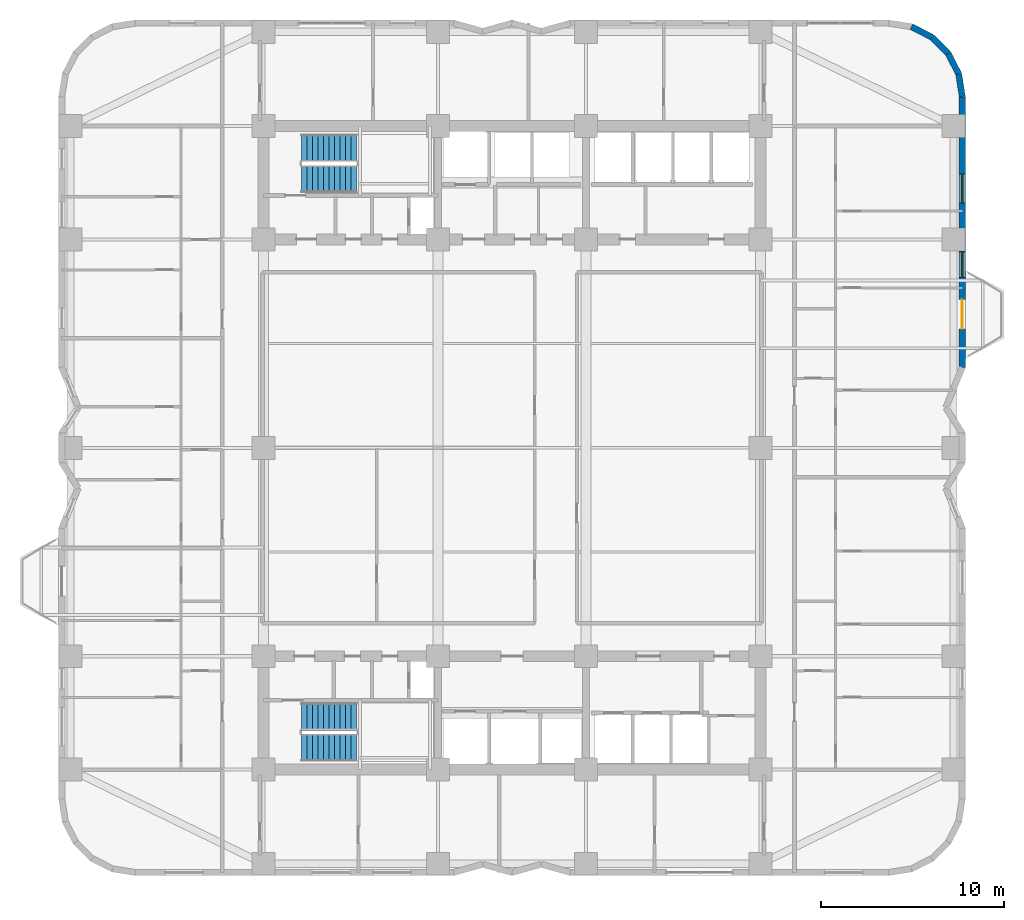
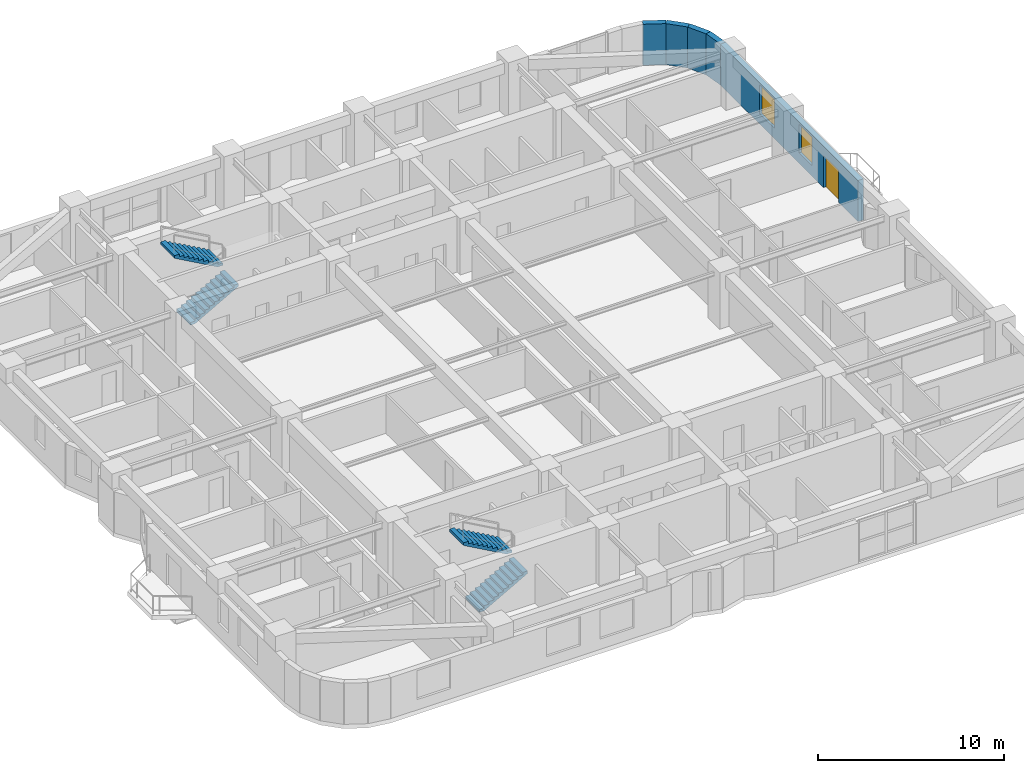
# One storey, part 11 of 13: 5 walls, 4 stair flights, 2 windows, 1 door, 3 openings, 2 elements without a shape of their own.
"""IFC4 building model written with IfcOpenShell, lengths in metres."""

from ifc_helpers import new_model, si_unit, direction, frame, frame_2d, origin, place, context, subcontext, project, spatial, polyline, rectangle, outline, extrude, material, layer, layer_set, type_object, element, fill, aggregate, save


model = new_model("IFC4")

# Units and contexts
model_context = context("Model", 3, precision=1e-05, world=origin(), true_north=direction((0.0, 1.0)))
body_context = subcontext(model_context, "Body", "Model", "MODEL_VIEW")
ifc_project = project(units=[si_unit("LENGTHUNIT", "METRE"), si_unit("AREAUNIT", "SQUARE_METRE"), si_unit("VOLUMEUNIT", "CUBIC_METRE"), si_unit("PLANEANGLEUNIT", "RADIAN"), si_unit("MASSUNIT", "GRAM", prefix="KILO")], contexts=[model_context])

# Site, building, storey
site_placement = place(None, origin())
site = spatial("IfcSite", under=ifc_project, at=site_placement, CompositionType="ELEMENT")
building_placement = place(site_placement, origin())
building = spatial("IfcBuilding", under=site, at=building_placement, Name="Svetorya Sky Lyceum", CompositionType="ELEMENT")
storey_placement = place(building_placement, frame((0.0, 0.0, 39.89990234375)))
storey = spatial("IfcBuildingStorey", under=building, at=storey_placement, Name="L09", CompositionType="ELEMENT", Elevation=39.89990234375)

# Wall, openings, door, windows
ifc_material_1 = material(Name="Putilovo limestone rainscreen on autoclaved cellular masonry", Category="masonry")
ifc_layer = layer(ifc_material_1, 0.340087890625)
ifc_layer_set = layer_set([ifc_layer], Name="Putilovo limestone rainscreen on autoclaved cellular masonry")
wall_type = type_object("IfcWallType", Name="WL-EXT-340", PredefinedType="SOLIDWALL", material=ifc_layer_set)
wall_1_placement = place(storey_placement, frame((63.830078125, 32.60009765625, 0.0), z_axis=(0.0, 0.0, 1.0), x_axis=(0.0, 1.0, 0.0)))
wall_1 = element("IfcWall", 1, at=wall_1_placement, inside=storey, type_object=wall_type, Name="L09 Limestone Exterior Wall 23M", PredefinedType="SOLIDWALL", context=body_context, shape_type="SweptSolid", body=[
    extrude(rectangle(XDim=14.7998046875, YDim=0.340087890625, at=frame_2d((7.39990234375, 0.0))), origin(), (0.0, 0.0, 1.0), 2.7001953125),
])
opening_1_placement = place(wall_1_placement, frame((2.10009765625, 0.0, 0.0)))
opening_1 = element("IfcOpeningElement", 2, at=opening_1_placement, cuts=wall_1, Name="Opening D-BL1", PredefinedType="OPENING", context=body_context, shape_type="SweptSolid", body=[
    extrude(rectangle(XDim=1.60009765625, YDim=2.10009765625, at=frame_2d((0.800048828125, 1.050048828125))), frame((0.0, 0.179931640625, 0.0), z_axis=(0.0, -1.0, 0.0), x_axis=(1.0, 0.0, 0.0)), (0.0, 0.0, 1.0), 0.360107421875),
])
opening_2_placement = place(wall_1_placement, frame((4.919921875, 0.0, 0.68994140625)))
opening_2 = element("IfcOpeningElement", 3, at=opening_2_placement, cuts=wall_1, Name="Opening W-R2", PredefinedType="OPENING", context=body_context, shape_type="SweptSolid", body=[
    extrude(rectangle(XDim=1.39990234375, YDim=1.85009765625, at=frame_2d((0.699951171875, 0.925048828125))), frame((0.0, 0.179931640625, 0.0), z_axis=(0.0, -1.0, 0.0), x_axis=(1.0, 0.0, 0.0)), (0.0, 0.0, 1.0), 0.360107421875),
])
opening_3_placement = place(wall_1_placement, frame((8.987548828125, 0.0, 0.679931640625)))
opening_3 = element("IfcOpeningElement", 4, at=opening_3_placement, cuts=wall_1, Name="Opening W-R4", PredefinedType="OPENING", context=body_context, shape_type="SweptSolid", body=[
    extrude(rectangle(XDim=1.60009765625, YDim=1.89990234375, at=frame_2d((0.800048828125, 0.949951171875))), frame((0.0, 0.179931640625, 0.0), z_axis=(0.0, -1.0, 0.0), x_axis=(1.0, 0.0, 0.0)), (0.0, 0.0, 1.0), 0.360107421875),
])
ifc_material_2 = material(Name="Insulated glazed aluminium balcony door", Category="aluminium")
door_type = type_object("IfcDoorType", Name="DR-BAL-1600", OperationType="DOUBLE_DOOR_SINGLE_SWING", PredefinedType="DOOR", material=ifc_material_2)
door_placement = place(opening_1_placement, origin())
door = element("IfcDoor", 5, at=door_placement, inside=storey, type_object=door_type, Name="L09 Balcony BAL-E1 Door", OperationType="DOUBLE_DOOR_SINGLE_SWING", OverallHeight=2.10009765625, OverallWidth=1.60009765625, PredefinedType="DOOR", context=body_context, shape_type="SweptSolid", body=[
    extrude(rectangle(XDim=1.60009765625, YDim=2.10009765625, at=frame_2d((0.800048828125, 1.050048828125))), frame((0.0, 0.02490234375, 0.0), z_axis=(0.0, -1.0, 0.0), x_axis=(1.0, 0.0, 0.0)), (0.0, 0.0, 1.0), 0.050048828125),
])
fill(opening_1, door)
ifc_material_3 = material(Name="Thermally broken aluminium frame with triple low-E glazing", Category="aluminium")
window_type_1 = type_object("IfcWindowType", Name="WN-RES-140", PartitioningType="SINGLE_PANEL", PredefinedType="WINDOW", material=ifc_material_3)
window_1_placement = place(opening_2_placement, origin())
window_1 = element("IfcWindow", 6, at=window_1_placement, inside=storey, type_object=window_type_1, Name="L09 Facade Window W-R2.23M.2", OverallHeight=1.85009765625, OverallWidth=1.39990234375, PartitioningType="SINGLE_PANEL", PredefinedType="WINDOW", context=body_context, shape_type="SweptSolid", body=[
    extrude(rectangle(XDim=1.39990234375, YDim=1.85009765625, at=frame_2d((0.699951171875, 0.925048828125))), frame((0.0, 0.030029296875, 0.0), z_axis=(0.0, -1.0, 0.0), x_axis=(1.0, 0.0, 0.0)), (0.0, 0.0, 1.0), 0.06005859375),
])
fill(opening_2, window_1)
window_type_2 = type_object("IfcWindowType", Name="WN-RES-160", PartitioningType="DOUBLE_PANEL_VERTICAL", PredefinedType="WINDOW", material=ifc_material_3)
window_2_placement = place(opening_3_placement, origin())
window_2 = element("IfcWindow", 7, at=window_2_placement, inside=storey, type_object=window_type_2, Name="L09 Facade Window W-R4.23M.1", OverallHeight=1.89990234375, OverallWidth=1.60009765625, PartitioningType="SINGLE_PANEL", PredefinedType="WINDOW", context=body_context, shape_type="SweptSolid", body=[
    extrude(rectangle(XDim=1.60009765625, YDim=1.89990234375, at=frame_2d((0.800048828125, 0.949951171875))), frame((0.0, 0.030029296875, 0.0), z_axis=(0.0, -1.0, 0.0), x_axis=(1.0, 0.0, 0.0)), (0.0, 0.0, 1.0), 0.06005859375),
])
fill(opening_3, window_2)

# Walls
for number, where, z_axis, x_axis, name in (
    (8, (63.830078125, 47.39990234375, 0.0), (0.0, 0.0, 1.0), (-0.15644975923, 0.987685918112, 0.0), "L09 Limestone Exterior Wall 24M"),
    (9, (63.6328125, 48.645263671875, 0.0), (0.0, 0.0, 1.0), (-0.454015689056, 0.890993689142, 0.0), "L09 Limestone Exterior Wall 25M"),
    (10, (63.060302734375, 49.768798828125, 0.0), (0.0, 0.0, 1.0), (-0.707106781187, 0.707106781187, 0.0), "L09 Limestone Exterior Wall 26M"),
):
    element("IfcWall", number, at=place(storey_placement, frame(where, z_axis=z_axis, x_axis=x_axis)), inside=storey, type_object=wall_type, Name=name, PredefinedType="SOLIDWALL", context=body_context, shape_type="SweptSolid", body=[
        extrude(rectangle(XDim=1.260986328125, YDim=0.340087890625, at=frame_2d((0.63037109375, 0.0))), origin(), (0.0, 0.0, 1.0), 2.7001953125),
    ])
wall_2_placement = place(storey_placement, frame((62.168701171875, 50.660400390625, 0.0), z_axis=(0.0, 0.0, 1.0), x_axis=(-0.890953769915, 0.454094020963, 0.0)))
element("IfcWall", 11, at=wall_2_placement, inside=storey, type_object=wall_type, Name="L09 Limestone Exterior Wall 27M", PredefinedType="SOLIDWALL", context=body_context, shape_type="SweptSolid", body=[
    extrude(rectangle(XDim=1.2607421875, YDim=0.340087890625, at=frame_2d((0.63037109375, 0.0))), origin(), (0.0, 0.0, 1.0), 2.7001953125),
])

# Stair, stair flights
ifc_material_4 = material(Name="Concrete C40/50", Category="concrete")
stair_type_1 = type_object("IfcStairType", Name="STR-ST-N", PredefinedType="HALF_TURN_STAIR", material=ifc_material_4)
stair_1_placement = place(storey_placement, origin())
stair_1 = element("IfcStair", 12, at=stair_1_placement, inside=storey, type_object=stair_type_1, Name="L09 North Core Smoke-Free Exit Stair N3", PredefinedType="HALF_TURN_STAIR")
stair_flight_type_1 = type_object("IfcStairFlightType", Name="SFL-ST-N", PredefinedType="STRAIGHT", material=ifc_material_4)
stair_flight_1_placement = place(storey_placement, frame((27.699951171875, 42.89990234375, 0.0), z_axis=(0.0, 0.0, 1.0), x_axis=(1.0, 0.0, 0.0)))
stair_flight_1 = element("IfcStairFlight", 13, at=stair_flight_1_placement, type_object=stair_flight_type_1, Name="ST-N flight 1", NumberOfRisers=11, NumberOfTreads=10, PredefinedType="STRAIGHT", RiserHeight=0.168181818, TreadLength=0.3, context=body_context, shape_type="SweptSolid", body=[
    extrude(outline(polyline([(0.0, 0.0), (0.0, 0.168212890625), (0.300048828125, 0.168212890625), (0.300048828125, 0.33642578125), (0.60009765625, 0.33642578125), (0.60009765625, 0.504638671875), (0.89990234375, 0.504638671875), (0.89990234375, 0.672607421875), (1.199951171875, 0.672607421875), (1.199951171875, 0.8408203125), (1.5, 0.8408203125), (1.5, 1.009033203125), (1.800048828125, 1.009033203125), (1.800048828125, 1.17724609375), (2.10009765625, 1.17724609375), (2.10009765625, 1.345458984375), (2.39990234375, 1.345458984375), (2.39990234375, 1.513671875), (2.699951171875, 1.513671875), (2.699951171875, 1.681884765625), (3.0, 1.681884765625), (3.0, 1.85009765625), (3.0, 1.510009765625), (0.306640625, 0.0), (0.0, 0.0)])), frame((0.0, 0.75, 0.0), z_axis=(0.0, -1.0, 0.0), x_axis=(1.0, 0.0, 0.0)), (0.0, 0.0, 1.0), 1.5),
])
stair_flight_2_placement = place(storey_placement, frame((30.699951171875, 44.60009765625, 1.85009765625), z_axis=(0.0, 0.0, 1.0), x_axis=(-1.0, 0.0, 0.0)))
stair_flight_2 = element("IfcStairFlight", 14, at=stair_flight_2_placement, type_object=stair_flight_type_1, Name="ST-N flight 2", NumberOfRisers=11, NumberOfTreads=10, PredefinedType="STRAIGHT", RiserHeight=0.168181818, TreadLength=0.3, context=body_context, shape_type="SweptSolid", body=[
    extrude(outline(polyline([(0.0, 0.0), (0.0, 0.168212890625), (0.300048828125, 0.168212890625), (0.300048828125, 0.33642578125), (0.60009765625, 0.33642578125), (0.60009765625, 0.504638671875), (0.89990234375, 0.504638671875), (0.89990234375, 0.672607421875), (1.199951171875, 0.672607421875), (1.199951171875, 0.8408203125), (1.5, 0.8408203125), (1.5, 1.009033203125), (1.800048828125, 1.009033203125), (1.800048828125, 1.17724609375), (2.10009765625, 1.17724609375), (2.10009765625, 1.345458984375), (2.39990234375, 1.345458984375), (2.39990234375, 1.513671875), (2.699951171875, 1.513671875), (2.699951171875, 1.681884765625), (3.0, 1.681884765625), (3.0, 1.85009765625), (3.0, 1.510009765625), (0.306640625, 0.0), (0.0, 0.0)])), frame((0.0, 0.75, 0.0), z_axis=(0.0, -1.0, 0.0), x_axis=(1.0, 0.0, 0.0)), (0.0, 0.0, 1.0), 1.5),
])
aggregate(stair_1, [stair_flight_1, stair_flight_2])

stair_type_2 = type_object("IfcStairType", Name="STR-ST-S", PredefinedType="HALF_TURN_STAIR", material=ifc_material_4)
stair_2_placement = place(storey_placement, origin())
stair_2 = element("IfcStair", 15, at=stair_2_placement, inside=storey, type_object=stair_type_2, Name="L09 South Core Smoke-Free Exit Stair N2", PredefinedType="HALF_TURN_STAIR")
stair_flight_type_2 = type_object("IfcStairFlightType", Name="SFL-ST-S", PredefinedType="STRAIGHT", material=ifc_material_4)
stair_flight_3_placement = place(storey_placement, frame((27.699951171875, 11.800048828125, 0.0), z_axis=(0.0, 0.0, 1.0), x_axis=(1.0, 0.0, 0.0)))
stair_flight_3 = element("IfcStairFlight", 16, at=stair_flight_3_placement, type_object=stair_flight_type_2, Name="ST-S flight 1", NumberOfRisers=11, NumberOfTreads=10, PredefinedType="STRAIGHT", RiserHeight=0.168181818, TreadLength=0.3, context=body_context, shape_type="SweptSolid", body=[
    extrude(outline(polyline([(0.0, 0.0), (0.0, 0.168212890625), (0.300048828125, 0.168212890625), (0.300048828125, 0.33642578125), (0.60009765625, 0.33642578125), (0.60009765625, 0.504638671875), (0.89990234375, 0.504638671875), (0.89990234375, 0.672607421875), (1.199951171875, 0.672607421875), (1.199951171875, 0.8408203125), (1.5, 0.8408203125), (1.5, 1.009033203125), (1.800048828125, 1.009033203125), (1.800048828125, 1.17724609375), (2.10009765625, 1.17724609375), (2.10009765625, 1.345458984375), (2.39990234375, 1.345458984375), (2.39990234375, 1.513671875), (2.699951171875, 1.513671875), (2.699951171875, 1.681884765625), (3.0, 1.681884765625), (3.0, 1.85009765625), (3.0, 1.510009765625), (0.306640625, 0.0), (0.0, 0.0)])), frame((0.0, 0.75, 0.0), z_axis=(0.0, -1.0, 0.0), x_axis=(1.0, 0.0, 0.0)), (0.0, 0.0, 1.0), 1.5),
])
stair_flight_4_placement = place(storey_placement, frame((30.699951171875, 13.5, 1.85009765625), z_axis=(0.0, 0.0, 1.0), x_axis=(-1.0, 0.0, 0.0)))
stair_flight_4 = element("IfcStairFlight", 17, at=stair_flight_4_placement, type_object=stair_flight_type_2, Name="ST-S flight 2", NumberOfRisers=11, NumberOfTreads=10, PredefinedType="STRAIGHT", RiserHeight=0.168181818, TreadLength=0.3, context=body_context, shape_type="SweptSolid", body=[
    extrude(outline(polyline([(0.0, 0.0), (0.0, 0.168212890625), (0.300048828125, 0.168212890625), (0.300048828125, 0.33642578125), (0.60009765625, 0.33642578125), (0.60009765625, 0.504638671875), (0.89990234375, 0.504638671875), (0.89990234375, 0.672607421875), (1.199951171875, 0.672607421875), (1.199951171875, 0.8408203125), (1.5, 0.8408203125), (1.5, 1.009033203125), (1.800048828125, 1.009033203125), (1.800048828125, 1.17724609375), (2.10009765625, 1.17724609375), (2.10009765625, 1.345458984375), (2.39990234375, 1.345458984375), (2.39990234375, 1.513671875), (2.699951171875, 1.513671875), (2.699951171875, 1.681884765625), (3.0, 1.681884765625), (3.0, 1.85009765625), (3.0, 1.510009765625), (0.306640625, 0.0), (0.0, 0.0)])), frame((0.0, 0.75, 0.0), z_axis=(0.0, -1.0, 0.0), x_axis=(1.0, 0.0, 0.0)), (0.0, 0.0, 1.0), 1.5),
])
aggregate(stair_2, [stair_flight_3, stair_flight_4])

save(model, "model.ifc")
